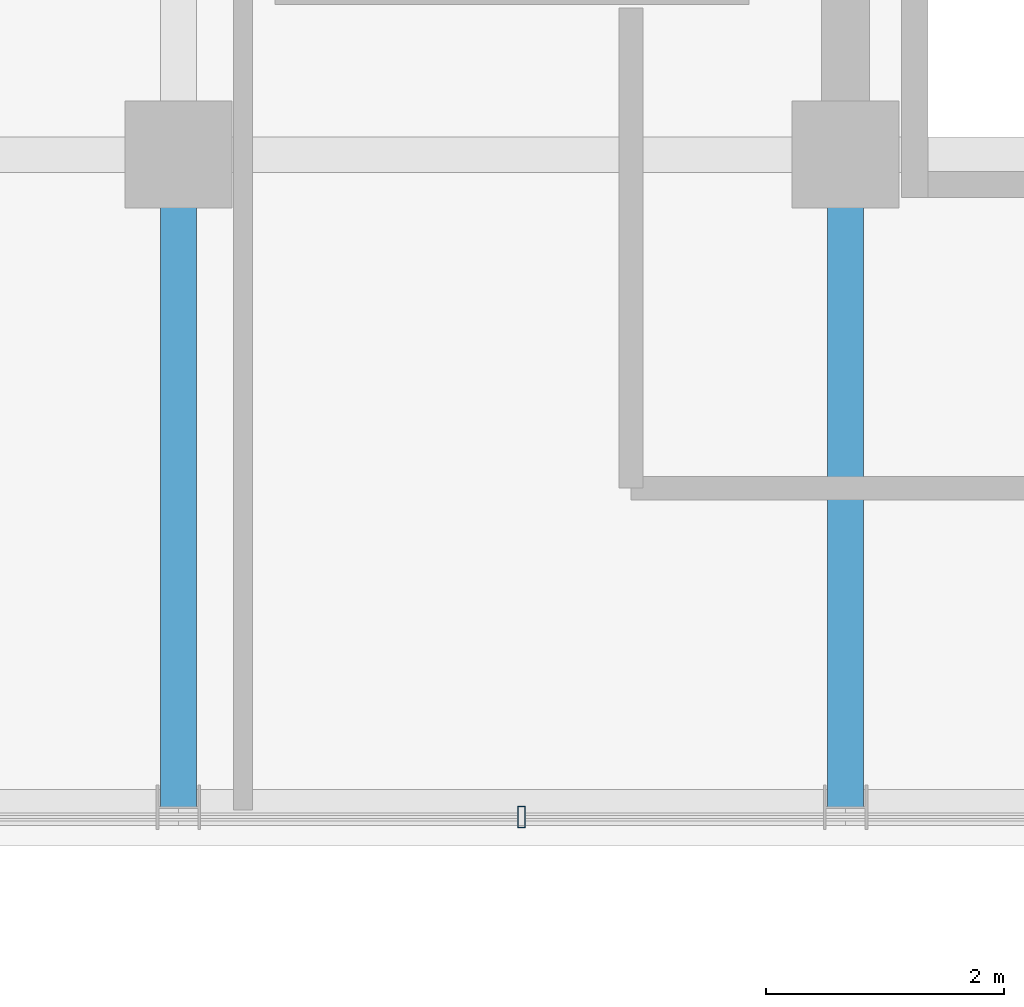
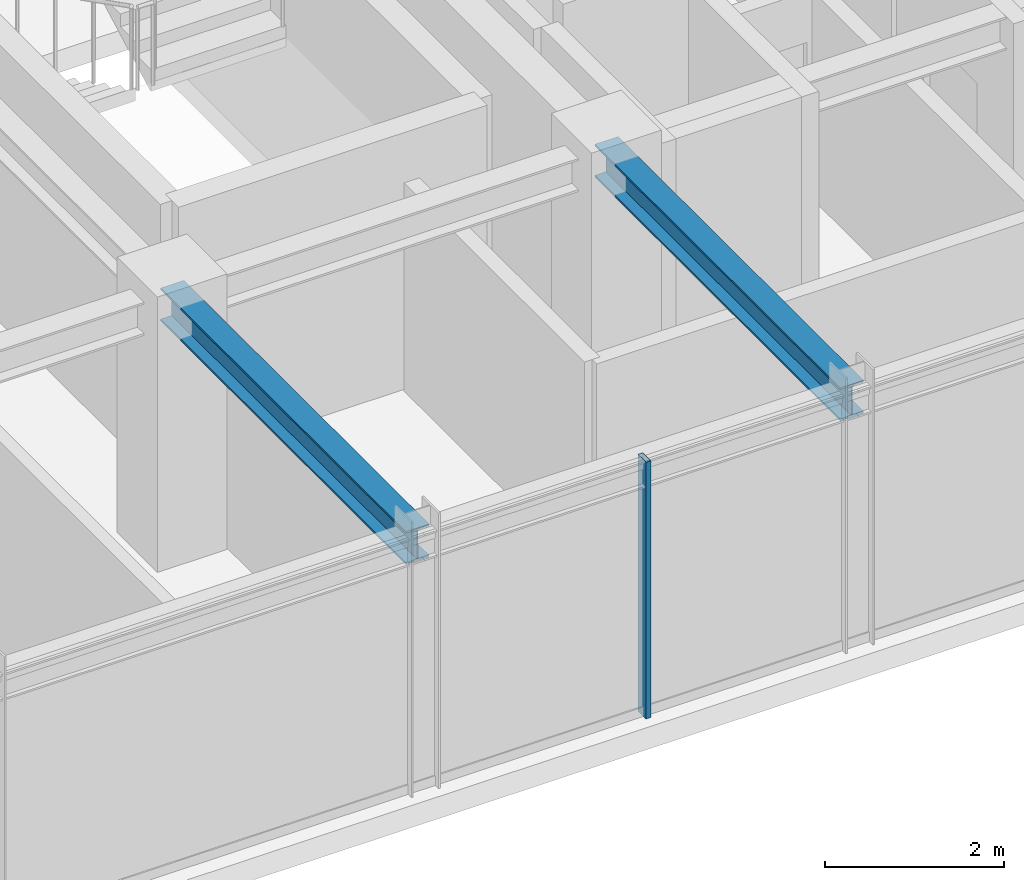
# One storey, part 7 of 33: 2 beams, 1 member, 1 element without a shape of its own.
"""IFC4 building model written with IfcOpenShell, lengths in metres."""

import ifcopenshell
import ifcopenshell.guid

model = None  # the IFC model being written
_history = None  # IfcOwnerHistory: only IFC2X3 demands one
_inside = {}  # id of a spatial element -> (the spatial element, [elements in it])
_under = {}  # id of a project, library or spatial element -> (it, [spatial elements below it])
_declared = {}  # id of a project -> (the project, [libraries it declares])
_typed = {}  # id of a type object -> (the type object, [elements of that type])
_made_of = {}  # id of a material, layer set ... -> (it, [elements and type objects made of it])


def new_model(schema):
    """Start an empty IFC model of exactly this schema.

    Asked for "IFC4X3", IfcOpenShell would pick the latest addendum, in which some entities
    have other attributes; the version numbers below select the first issue.
    IFC2X3 requires an IfcOwnerHistory on every rooted entity: one is made here for all.
    """
    global model, _history
    if schema == "IFC4X3":
        model = ifcopenshell.file(schema_version=(4, 3, 0, 0))
    else:
        model = ifcopenshell.file(schema=schema)
    _inside.clear()
    _under.clear()
    _declared.clear()
    _typed.clear()
    _made_of.clear()
    _history = None
    if model.schema == "IFC2X3":
        org = make("IfcOrganization", Name="unknown")
        user = make(
            "IfcPersonAndOrganization",
            ThePerson=make("IfcPerson", FamilyName="unknown"),
            TheOrganization=org,
        )
        app = make(
            "IfcApplication",
            ApplicationDeveloper=org,
            Version="unknown",
            ApplicationFullName="unknown",
            ApplicationIdentifier="unknown",
        )
        _history = make(
            "IfcOwnerHistory",
            OwningUser=user,
            OwningApplication=app,
            ChangeAction="ADDED",
            CreationDate=0,
        )
    return model


def make(cls, **values):
    """One entity of the class cls with the attributes given. An attribute that is None is left unset."""
    return model.create_entity(
        cls, **{name: value for name, value in values.items() if value is not None}
    )


def rooted(cls, **values):
    """An entity with a GlobalId (a new one), such as an element, a storey or a relation."""
    return make(cls, GlobalId=ifcopenshell.guid.new(), OwnerHistory=_history, **values)


def si_unit(unit_type, name, prefix=None):
    """IfcSIUnit, for example si_unit("LENGTHUNIT", "METRE", prefix="MILLI")."""
    return make("IfcSIUnit", UnitType=unit_type, Prefix=prefix, Name=name)


def assignment(units):
    """IfcUnitAssignment: the units of a project."""
    return None if units is None else make("IfcUnitAssignment", Units=units)


def point(xyz):
    """IfcCartesianPoint."""
    return None if xyz is None else make("IfcCartesianPoint", Coordinates=xyz)


def direction(xyz):
    """IfcDirection."""
    return None if xyz is None else make("IfcDirection", DirectionRatios=xyz)


def frame(location, z_axis=None, x_axis=None):
    """IfcAxis2Placement3D, a coordinate frame: its origin and axes. An axis left out is left unset."""
    return make(
        "IfcAxis2Placement3D",
        Location=point(location),
        Axis=direction(z_axis),
        RefDirection=direction(x_axis),
    )


def frame_2d(location, x_axis=None):
    """IfcAxis2Placement2D, a coordinate frame in the plane: its origin and x axis."""
    return make(
        "IfcAxis2Placement2D", Location=point(location), RefDirection=direction(x_axis)
    )


def origin():
    """The frame at (0, 0, 0) with its axes left unset."""
    return frame((0.0, 0.0, 0.0))


def origin_2d():
    """The frame at (0, 0) in the plane with its x axis left unset."""
    return frame_2d((0.0, 0.0))


def place(relative_to, where):
    """IfcLocalPlacement: puts the frame where relative to a parent placement (None: the world)."""
    return make(
        "IfcLocalPlacement", PlacementRelTo=relative_to, RelativePlacement=where
    )


def context(
    kind, dimensions, precision=None, world=None, true_north=None, identifier=None
):
    """IfcGeometricRepresentationContext, for example the 3D "Model" context."""
    return make(
        "IfcGeometricRepresentationContext",
        ContextIdentifier=identifier,
        ContextType=kind,
        CoordinateSpaceDimension=dimensions,
        Precision=precision,
        WorldCoordinateSystem=world,
        TrueNorth=true_north,
    )


def subcontext(parent, identifier, kind, view, scale=None):
    """IfcGeometricRepresentationSubContext, for example "Body" below "Model"."""
    return make(
        "IfcGeometricRepresentationSubContext",
        ContextIdentifier=identifier,
        ContextType=kind,
        ParentContext=parent,
        TargetScale=scale,
        TargetView=view,
    )


def project(units=None, contexts=None):
    """IfcProject with its units and contexts."""
    return rooted(
        "IfcProject",
        Name="project",
        RepresentationContexts=contexts,
        UnitsInContext=assignment(units),
    )


def spatial(cls, under=None, at=None, **own):
    """A site, building, storey or space (cls), placed at a placement, below another one or the project."""
    s = rooted(cls, ObjectPlacement=at, **own)
    if under is not None:
        _under.setdefault(under.id(), (under, []))[1].append(s)
    return s


def profile(cls, at=None, kind="AREA", **sizes):
    """A parametric profile (cls). Its sizes go by their IFC names, for example OverallWidth=200.0."""
    return make(cls, ProfileType=kind, Position=at, **sizes)


def hollow_rectangle(**sizes):
    """IfcRectangleHollowProfileDef."""
    return profile("IfcRectangleHollowProfileDef", **sizes)


def i_section(**sizes):
    """IfcIShapeProfileDef."""
    return profile("IfcIShapeProfileDef", **sizes)


def extrude(swept, where, along, depth):
    """IfcExtrudedAreaSolid: the profile swept, set in the frame where, extruded along a direction by depth."""
    return make(
        "IfcExtrudedAreaSolid",
        SweptArea=swept,
        Position=where,
        ExtrudedDirection=direction(along),
        Depth=depth,
    )


def shape(context_of_items, identifier, shape_type, items):
    """IfcShapeRepresentation: the items that make up one representation, for example the "Body"."""
    return make(
        "IfcShapeRepresentation",
        ContextOfItems=context_of_items,
        RepresentationIdentifier=identifier,
        RepresentationType=shape_type,
        Items=items,
    )


def source(mapping_origin, context_of_items, identifier, shape_type, items):
    """IfcRepresentationMap: a shape defined once, which mapped items show again and again."""
    return make(
        "IfcRepresentationMap",
        MappingOrigin=mapping_origin,
        MappedRepresentation=shape(context_of_items, identifier, shape_type, items),
    )


def transform(
    local_origin,
    x_axis=None,
    y_axis=None,
    z_axis=None,
    scale=None,
    scale2=None,
    scale3=None,
    uniform=True,
):
    """IfcCartesianTransformationOperator3D, or its non-uniform kind. x_axis, y_axis, z_axis: its Axis1, 2, 3."""
    if uniform:
        return make(
            "IfcCartesianTransformationOperator3D",
            Axis1=direction(x_axis),
            Axis2=direction(y_axis),
            LocalOrigin=point(local_origin),
            Scale=scale,
            Axis3=direction(z_axis),
        )
    return make(
        "IfcCartesianTransformationOperator3DnonUniform",
        Axis1=direction(x_axis),
        Axis2=direction(y_axis),
        LocalOrigin=point(local_origin),
        Scale=scale,
        Axis3=direction(z_axis),
        Scale2=scale2,
        Scale3=scale3,
    )


def mapped(mapping_source, mapping_target):
    """IfcMappedItem: shows the shape of a source again, moved by a transform."""
    return make(
        "IfcMappedItem", MappingSource=mapping_source, MappingTarget=mapping_target
    )


def material(Name=None, Category=None):
    """IfcMaterial."""
    return make("IfcMaterial", Name=Name, Category=Category)


def material_profile(
    of_material, cross_section, Name=None, Category=None, Priority=None
):
    """IfcMaterialProfile: a cross section and its material."""
    return make(
        "IfcMaterialProfile",
        Name=Name,
        Material=of_material,
        Profile=cross_section,
        Priority=Priority,
        Category=Category,
    )


def profile_set(profiles, Name=None, composite=None):
    """IfcMaterialProfileSet."""
    return make(
        "IfcMaterialProfileSet",
        Name=Name,
        MaterialProfiles=profiles,
        CompositeProfile=composite,
    )


def made_of(thing, what):
    """Note that an element or type object is made of a material, layer set ...; save() writes the relation."""
    if what is not None:
        _made_of.setdefault(what.id(), (what, []))[1].append(thing)
    return thing


def type_object(cls, material=None, **own):
    """A type object (cls), such as IfcWallType, which elements share."""
    return made_of(rooted(cls, **own), material)


def element(
    cls,
    number,
    at=None,
    inside=None,
    cuts=None,
    type_object=None,
    material=None,
    context=None,
    identifier="Body",
    shape_type=None,
    held_by="IfcProductDefinitionShape",
    body=None,
    shapes=None,
    **own,
):
    """One element of the class cls, such as IfcWall. Its Tag is "e" and its number.

    at: its placement. inside: the storey or other place that contains it. cuts: it is an
    opening in that element (IfcRelVoidsElement). A single representation is given by context,
    identifier, shape_type and body (its items); several are given by shapes. held_by: the class
    of the entity that holds the representations. save() writes the other relations.
    """
    e = rooted(cls, Tag="e%d" % number, ObjectPlacement=at, **own)
    if body is not None:
        shapes = [shape(context, identifier, shape_type, body)]
    if shapes is not None:
        e.Representation = make(held_by, Representations=shapes)
    if inside is not None:
        _inside.setdefault(inside.id(), (inside, []))[1].append(e)
    if cuts is not None:
        rooted(
            "IfcRelVoidsElement", RelatingBuildingElement=cuts, RelatedOpeningElement=e
        )
    if type_object is not None:
        _typed.setdefault(type_object.id(), (type_object, []))[1].append(e)
    return made_of(e, material)


def aggregate(whole, parts):
    """IfcRelAggregates: a whole, such as a stair, and the parts it consists of."""
    return rooted("IfcRelAggregates", RelatingObject=whole, RelatedObjects=parts)


def save(model, path):
    """Write the relations noted so far, then the file.

    IfcRelAggregates (storeys below a building ...), IfcRelContainedInSpatialStructure (elements
    in a storey), IfcRelDefinesByType, IfcRelAssociatesMaterial and IfcRelDeclares: one each for
    every whole, place, type object, material and project.
    """
    for whole, parts in _under.values():
        aggregate(whole, parts)
    for where, things in _inside.values():
        rooted(
            "IfcRelContainedInSpatialStructure",
            RelatedElements=things,
            RelatingStructure=where,
        )
    for kind, things in _typed.values():
        rooted("IfcRelDefinesByType", RelatedObjects=things, RelatingType=kind)
    for what, things in _made_of.values():
        rooted("IfcRelAssociatesMaterial", RelatedObjects=things, RelatingMaterial=what)
    for by, libraries in _declared.values():
        rooted("IfcRelDeclares", RelatingContext=by, RelatedDefinitions=libraries)
    model.write(path)


model = new_model("IFC4")

# Units and contexts
model_context = context("Model", 3, precision=1e-05, world=origin(), true_north=direction((0.0, 1.0)))
body_context = subcontext(model_context, "Body", "Model", "MODEL_VIEW")
ifc_project = project(units=[si_unit("LENGTHUNIT", "METRE"), si_unit("AREAUNIT", "SQUARE_METRE"), si_unit("VOLUMEUNIT", "CUBIC_METRE"), si_unit("PLANEANGLEUNIT", "RADIAN"), si_unit("MASSUNIT", "GRAM", prefix="KILO")], contexts=[model_context])

# Site, building, storey
site_placement = place(None, origin())
site = spatial("IfcSite", under=ifc_project, at=site_placement, CompositionType="ELEMENT")
building_placement = place(site_placement, origin())
building = spatial("IfcBuilding", under=site, at=building_placement, Name="Nahalor Promenade Grand Hotel", CompositionType="ELEMENT")
storey_placement = place(building_placement, frame((0.0, 0.0, 315.75)))
storey = spatial("IfcBuildingStorey", under=building, at=storey_placement, Name="L81", CompositionType="ELEMENT", Elevation=315.75)

# Beams
ifc_material_1 = material(Name="Steel S355JR", Category="steel")
ifc_material_profile_1 = material_profile(ifc_material_1, i_section(OverallWidth=0.3, OverallDepth=0.45, WebThickness=0.014, FlangeThickness=0.026, at=origin_2d()), Name="HEB 450")
ifc_profile_set_1 = profile_set([ifc_material_profile_1], Name="Steel S355JR")
beam_type = type_object("IfcBeamType", Name="Beam-Girder-HEB450", PredefinedType="BEAM", material=ifc_profile_set_1)
shared_shape_1 = source(origin(), body_context, "Body", "SweptSolid", [
    extrude(i_section(OverallWidth=0.3, OverallDepth=0.45, WebThickness=0.014, FlangeThickness=0.026, at=origin_2d()), origin(), (0.0, 0.0, 1.0), 5.47998046875),
])
for number, where, z_axis, x_axis, name in (
    (1, (2.800048828125, -22.47998046875, 3.27490234375), (0.0, 1.0, 0.0), (-1.0, 0.0, 0.0), "BM-L81-GY-3-0"),
    (2, (8.39990234375, -22.47998046875, 3.27490234375), (0.0, 1.0, 0.0), (-1.0, 0.0, 0.0), "BM-L81-GY-4-0"),
):
    element("IfcBeam", number, at=place(storey_placement, frame(where, z_axis=z_axis, x_axis=x_axis)), inside=storey, type_object=beam_type, Name=name, PredefinedType="BEAM", context=body_context, shape_type="MappedRepresentation", body=[
        mapped(shared_shape_1, transform((0.0, 0.0, 0.0), scale=1.0)),
    ])

# Curtain wall, member
ifc_material_2 = material(Name="Anodised Bronze Aluminium EN AW-6063 T6", Category="aluminium")
curtain_wall_type = type_object("IfcCurtainWallType", Name="CW2 Typical Hotel Flush Bronze Unitised Curtain Wall", PredefinedType="USERDEFINED", material=ifc_material_2)
curtain_wall_placement = place(storey_placement, origin())
curtain_wall = element("IfcCurtainWall", 3, at=curtain_wall_placement, inside=storey, type_object=curtain_wall_type, Name="L81 Curtain Wall CW-L81-S-3", ObjectType="UNITISED_CURTAIN_WALL", PredefinedType="USERDEFINED")
ifc_material_profile_2 = material_profile(ifc_material_2, hollow_rectangle(XDim=0.065, YDim=0.18, WallThickness=0.004, at=origin_2d()), Name="CWM 65x180x4")
ifc_profile_set_2 = profile_set([ifc_material_profile_2], Name="Anodised Bronze Aluminium EN AW-6063 T6")
member_type = type_object("IfcMemberType", Name="CWM2 Typical Bronze Mullion 65x180", PredefinedType="MULLION", material=ifc_profile_set_2)
shared_shape_2 = source(origin(), body_context, "Body", "SweptSolid", [
    extrude(hollow_rectangle(XDim=0.065, YDim=0.18, WallThickness=0.004, at=origin_2d()), origin(), (0.0, 0.0, 1.0), 3.5),
])
member_placement = place(storey_placement, frame((5.679931640625, -22.56005859375, 0.0), z_axis=(0.0, 0.0, 1.0), x_axis=(1.0, 0.0, 0.0)))
member = element("IfcMember", 4, at=member_placement, type_object=member_type, Name="CW-L81-S-3 Mullion 1", PredefinedType="MULLION", context=body_context, shape_type="MappedRepresentation", body=[
    mapped(shared_shape_2, transform((0.0, 0.0, 0.0), scale=1.0)),
])
aggregate(curtain_wall, [member])

save(model, "model.ifc")
